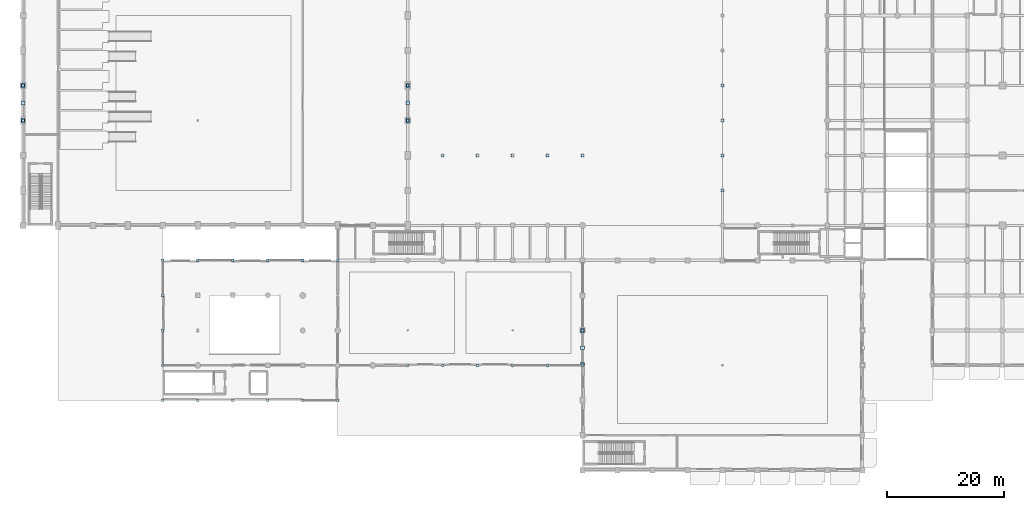
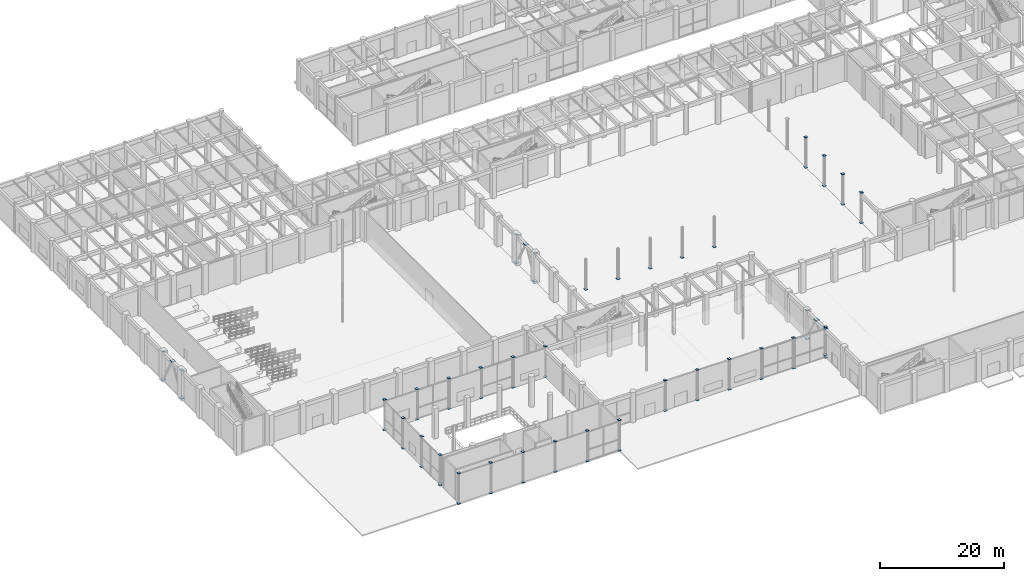
# One storey, part 76 of 106: 70 plates.
"""IFC4 building model written with IfcOpenShell, lengths in metres."""

from ifc_helpers import new_model, si_unit, direction, frame, origin, origin_2d, place, context, subcontext, project, spatial, rectangle, extrude, material, layer, layer_set, type_object, element, save


model = new_model("IFC4")

# Units and contexts
model_context = context("Model", 3, precision=1e-05, world=origin(), true_north=direction((0.0, 1.0)))
body_context = subcontext(model_context, "Body", "Model", "MODEL_VIEW")
ifc_project = project(units=[si_unit("LENGTHUNIT", "METRE"), si_unit("AREAUNIT", "SQUARE_METRE"), si_unit("VOLUMEUNIT", "CUBIC_METRE"), si_unit("PLANEANGLEUNIT", "RADIAN"), si_unit("MASSUNIT", "GRAM", prefix="KILO"), si_unit("THERMODYNAMICTEMPERATUREUNIT", "KELVIN"), si_unit("POWERUNIT", "WATT")], contexts=[model_context])

# Site, building, storey
site_placement = place(None, origin())
site = spatial("IfcSite", under=ifc_project, at=site_placement, CompositionType="ELEMENT")
building_placement = place(site_placement, origin())
building = spatial("IfcBuilding", under=site, at=building_placement, Name="Phaisarnlok Congress Hotel", CompositionType="ELEMENT")
storey_placement = place(building_placement, origin())
storey = spatial("IfcBuildingStorey", under=building, at=storey_placement, Name="L00", CompositionType="ELEMENT", Elevation=0.0)

# Plates
ifc_material = material(Name="Steel S355", Category="steel")
ifc_layer_1 = layer(ifc_material, 0.0400390625, Name="Steel S355")
ifc_layer_set_1 = layer_set([ifc_layer_1], Name="Steel S355")
plate_type_1 = type_object("IfcPlateType", Name="PLT-CAP-480", PredefinedType="SHEET", material=ifc_layer_set_1)
for number, where, z_axis, x_axis, name in (
    (1, (24.0, 12.0, -0.02001953125), (0.0, 0.0, 1.0), (1.0, 0.0, 0.0), "Steel column cap/base plate NP-04 at NP-COLB-COL-L00-024-012"),
    (2, (24.0, 12.0, 5.97998046875), (0.0, 0.0, 1.0), (1.0, 0.0, 0.0), "Steel column cap/base plate NP-04 at NP-COLT-COL-L00-024-012"),
    (3, (24.0, 18.0, -0.02001953125), (0.0, 0.0, 1.0), (1.0, 0.0, 0.0), "Steel column cap/base plate NP-04 at NP-COLB-COL-L00-024-018"),
    (4, (24.0, 18.0, 5.97998046875), (0.0, 0.0, 1.0), (1.0, 0.0, 0.0), "Steel column cap/base plate NP-04 at NP-COLT-COL-L00-024-018"),
    (5, (24.0, 24.0, -0.02001953125), (0.0, 0.0, 1.0), (1.0, 0.0, 0.0), "Steel column cap/base plate NP-04 at NP-COLB-COL-L00-024-024"),
    (6, (24.0, 24.0, 5.97998046875), (0.0, 0.0, 1.0), (1.0, 0.0, 0.0), "Steel column cap/base plate NP-04 at NP-COLT-COL-L00-024-024"),
    (7, (24.0, 30.0, -0.02001953125), (0.0, 0.0, 1.0), (1.0, 0.0, 0.0), "Steel column cap/base plate NP-04 at NP-COLB-COL-L00-024-030"),
    (8, (24.0, 30.0, 5.97998046875), (0.0, 0.0, 1.0), (1.0, 0.0, 0.0), "Steel column cap/base plate NP-04 at NP-COLT-COL-L00-024-030"),
    (9, (24.0, 36.0, -0.02001953125), (0.0, 0.0, 1.0), (1.0, 0.0, 0.0), "Steel column cap/base plate NP-04 at NP-COLB-COL-L00-024-036"),
    (10, (24.0, 36.0, 5.97998046875), (0.0, 0.0, 1.0), (1.0, 0.0, 0.0), "Steel column cap/base plate NP-04 at NP-COLT-COL-L00-024-036"),
    (11, (30.0, 12.0, -0.02001953125), (0.0, 0.0, 1.0), (1.0, 0.0, 0.0), "Steel column cap/base plate NP-04 at NP-COLB-COL-L00-030-012"),
    (12, (30.0, 12.0, 5.97998046875), (0.0, 0.0, 1.0), (1.0, 0.0, 0.0), "Steel column cap/base plate NP-04 at NP-COLT-COL-L00-030-012"),
    (13, (30.0, 36.0, -0.02001953125), (0.0, 0.0, 1.0), (1.0, 0.0, 0.0), "Steel column cap/base plate NP-04 at NP-COLB-COL-L00-030-036"),
    (14, (30.0, 36.0, 5.97998046875), (0.0, 0.0, 1.0), (1.0, 0.0, 0.0), "Steel column cap/base plate NP-04 at NP-COLT-COL-L00-030-036"),
    (15, (36.0, 12.0, -0.02001953125), (0.0, 0.0, 1.0), (1.0, 0.0, 0.0), "Steel column cap/base plate NP-04 at NP-COLB-COL-L00-036-012"),
    (16, (36.0, 12.0, 5.97998046875), (0.0, 0.0, 1.0), (1.0, 0.0, 0.0), "Steel column cap/base plate NP-04 at NP-COLT-COL-L00-036-012"),
    (17, (36.0, 36.0, -0.02001953125), (0.0, 0.0, 1.0), (1.0, 0.0, 0.0), "Steel column cap/base plate NP-04 at NP-COLB-COL-L00-036-036"),
    (18, (36.0, 36.0, 5.97998046875), (0.0, 0.0, 1.0), (1.0, 0.0, 0.0), "Steel column cap/base plate NP-04 at NP-COLT-COL-L00-036-036"),
    (19, (42.0, 12.0, -0.02001953125), (0.0, 0.0, 1.0), (1.0, 0.0, 0.0), "Steel column cap/base plate NP-04 at NP-COLB-COL-L00-042-012"),
    (20, (42.0, 12.0, 5.97998046875), (0.0, 0.0, 1.0), (1.0, 0.0, 0.0), "Steel column cap/base plate NP-04 at NP-COLT-COL-L00-042-012"),
    (21, (42.0, 36.0, -0.02001953125), (0.0, 0.0, 1.0), (1.0, 0.0, 0.0), "Steel column cap/base plate NP-04 at NP-COLB-COL-L00-042-036"),
    (22, (42.0, 36.0, 5.97998046875), (0.0, 0.0, 1.0), (1.0, 0.0, 0.0), "Steel column cap/base plate NP-04 at NP-COLT-COL-L00-042-036"),
    (23, (48.0, 12.0, -0.02001953125), (0.0, 0.0, 1.0), (1.0, 0.0, 0.0), "Steel column cap/base plate NP-04 at NP-COLB-COL-L00-048-012"),
    (24, (48.0, 12.0, 5.97998046875), (0.0, 0.0, 1.0), (1.0, 0.0, 0.0), "Steel column cap/base plate NP-04 at NP-COLT-COL-L00-048-012"),
    (25, (48.0, 36.0, -0.02001953125), (0.0, 0.0, 1.0), (1.0, 0.0, 0.0), "Steel column cap/base plate NP-04 at NP-COLB-COL-L00-048-036"),
    (26, (48.0, 36.0, 5.97998046875), (0.0, 0.0, 1.0), (1.0, 0.0, 0.0), "Steel column cap/base plate NP-04 at NP-COLT-COL-L00-048-036"),
    (27, (54.0, 12.0, -0.02001953125), (0.0, 0.0, 1.0), (1.0, 0.0, 0.0), "Steel column cap/base plate NP-04 at NP-COLB-COL-L00-054-012"),
    (28, (54.0, 12.0, 5.97998046875), (0.0, 0.0, 1.0), (1.0, 0.0, 0.0), "Steel column cap/base plate NP-04 at NP-COLT-COL-L00-054-012"),
    (29, (54.0, 36.0, -0.02001953125), (0.0, 0.0, 1.0), (1.0, 0.0, 0.0), "Steel column cap/base plate NP-04 at NP-COLB-COL-L00-054-036"),
    (30, (54.0, 36.0, 5.97998046875), (0.0, 0.0, 1.0), (1.0, 0.0, 0.0), "Steel column cap/base plate NP-04 at NP-COLT-COL-L00-054-036"),
    (31, (66.0, 18.0, -0.02001953125), (0.0, 0.0, 1.0), (1.0, 0.0, 0.0), "Steel column cap/base plate NP-04 at NP-COLB-COL-L00-066-018"),
    (32, (66.0, 18.0, 5.97998046875), (0.0, 0.0, 1.0), (1.0, 0.0, 0.0), "Steel column cap/base plate NP-04 at NP-COLT-COL-L00-066-018"),
    (33, (72.0, 18.0, -0.02001953125), (0.0, 0.0, 1.0), (1.0, 0.0, 0.0), "Steel column cap/base plate NP-04 at NP-COLB-COL-L00-072-018"),
    (34, (72.0, 18.0, 5.97998046875), (0.0, 0.0, 1.0), (1.0, 0.0, 0.0), "Steel column cap/base plate NP-04 at NP-COLT-COL-L00-072-018"),
    (35, (78.0, 18.0, -0.02001953125), (0.0, 0.0, 1.0), (1.0, 0.0, 0.0), "Steel column cap/base plate NP-04 at NP-COLB-COL-L00-078-018"),
    (36, (78.0, 18.0, 5.97998046875), (0.0, 0.0, 1.0), (1.0, 0.0, 0.0), "Steel column cap/base plate NP-04 at NP-COLT-COL-L00-078-018"),
    (37, (84.0, 18.0, -0.02001953125), (0.0, 0.0, 1.0), (1.0, 0.0, 0.0), "Steel column cap/base plate NP-04 at NP-COLB-COL-L00-084-018"),
    (38, (84.0, 18.0, 5.97998046875), (0.0, 0.0, 1.0), (1.0, 0.0, 0.0), "Steel column cap/base plate NP-04 at NP-COLT-COL-L00-084-018"),
    (39, (90.0, 18.0, -0.02001953125), (0.0, 0.0, 1.0), (1.0, 0.0, 0.0), "Steel column cap/base plate NP-04 at NP-COLB-COL-L00-090-018"),
    (40, (90.0, 18.0, 5.97998046875), (0.0, 0.0, 1.0), (1.0, 0.0, 0.0), "Steel column cap/base plate NP-04 at NP-COLT-COL-L00-090-018"),
    (41, (96.0, 18.0, -0.02001953125), (0.0, 0.0, 1.0), (1.0, 0.0, 0.0), "Steel column cap/base plate NP-04 at NP-COLB-COL-L00-096-018"),
    (42, (96.0, 18.0, 5.97998046875), (0.0, 0.0, 1.0), (1.0, 0.0, 0.0), "Steel column cap/base plate NP-04 at NP-COLT-COL-L00-096-018"),
    (43, (120.0, 48.0, -0.02001953125), (0.0, 0.0, 1.0), (1.0, 0.0, 0.0), "Steel column cap/base plate NP-04 at NP-COLB-COL-L00-120-048"),
    (44, (120.0, 48.0, 5.97998046875), (0.0, 0.0, 1.0), (1.0, 0.0, 0.0), "Steel column cap/base plate NP-04 at NP-COLT-COL-L00-120-048"),
    (45, (120.0, 54.0, -0.02001953125), (0.0, 0.0, 1.0), (1.0, 0.0, 0.0), "Steel column cap/base plate NP-04 at NP-COLB-COL-L00-120-054"),
    (46, (120.0, 54.0, 5.97998046875), (0.0, 0.0, 1.0), (1.0, 0.0, 0.0), "Steel column cap/base plate NP-04 at NP-COLT-COL-L00-120-054"),
    (47, (120.0, 60.0, -0.02001953125), (0.0, 0.0, 1.0), (1.0, 0.0, 0.0), "Steel column cap/base plate NP-04 at NP-COLB-COL-L00-120-060"),
    (48, (120.0, 60.0, 5.97998046875), (0.0, 0.0, 1.0), (1.0, 0.0, 0.0), "Steel column cap/base plate NP-04 at NP-COLT-COL-L00-120-060"),
    (49, (120.0, 66.0, -0.02001953125), (0.0, 0.0, 1.0), (1.0, 0.0, 0.0), "Steel column cap/base plate NP-04 at NP-COLB-COL-L00-120-066"),
    (50, (120.0, 66.0, 5.97998046875), (0.0, 0.0, 1.0), (1.0, 0.0, 0.0), "Steel column cap/base plate NP-04 at NP-COLT-COL-L00-120-066"),
    (51, (72.0, 54.0, -0.02001953125), (0.0, 0.0, 1.0), (1.0, 0.0, 0.0), "Steel column cap/base plate NP-04 at NP-CLB-072"),
    (52, (78.0, 54.0, -0.02001953125), (0.0, 0.0, 1.0), (1.0, 0.0, 0.0), "Steel column cap/base plate NP-04 at NP-CLB-078"),
    (53, (84.0, 54.0, -0.02001953125), (0.0, 0.0, 1.0), (1.0, 0.0, 0.0), "Steel column cap/base plate NP-04 at NP-CLB-084"),
    (54, (90.0, 54.0, -0.02001953125), (0.0, 0.0, 1.0), (1.0, 0.0, 0.0), "Steel column cap/base plate NP-04 at NP-CLB-090"),
    (55, (96.0, 54.0, -0.02001953125), (0.0, 0.0, 1.0), (1.0, 0.0, 0.0), "Steel column cap/base plate NP-04 at NP-CLB-096"),
):
    element("IfcPlate", number, at=place(storey_placement, frame(where, z_axis=z_axis, x_axis=x_axis)), inside=storey, type_object=plate_type_1, Name=name, PredefinedType="SHEET", context=body_context, shape_type="SweptSolid", body=[
        extrude(rectangle(XDim=0.47998046875, YDim=0.47998046875, at=origin_2d()), origin(), (0.0, 0.0, 1.0), 0.0400390625),
    ])
ifc_layer_2 = layer(ifc_material, 0.01611328125, Name="Steel S355")
ifc_layer_set_2 = layer_set([ifc_layer_2], Name="Steel S355")
plate_type_2 = type_object("IfcPlateType", Name="PLT-GUS-650", PredefinedType="SHEET", material=ifc_layer_set_2)
for number, where, z_axis, x_axis, name in (
    (56, (0.0, 60.0, 0.141845703125), (0.0, 0.0, 1.0), (1.0, 0.0, 0.0), "Steel truss node plate NP-05 at NP-BF-A-L00-A"),
    (57, (0.0, 66.0, 0.141845703125), (0.0, 0.0, 1.0), (1.0, 0.0, 0.0), "Steel truss node plate NP-05 at NP-BF-A-L00-B"),
    (58, (0.0, 63.0, 5.612060546875), (0.0, 0.0, 1.0), (1.0, 0.0, 0.0), "Steel truss node plate NP-05 at NP-BF-A-L00-M"),
    (59, (66.0, 60.0, 0.141845703125), (0.0, 0.0, 1.0), (1.0, 0.0, 0.0), "Steel truss node plate NP-05 at NP-BF-B-L00-A"),
    (60, (66.0, 66.0, 0.141845703125), (0.0, 0.0, 1.0), (1.0, 0.0, 0.0), "Steel truss node plate NP-05 at NP-BF-B-L00-B"),
    (61, (66.0, 63.0, 5.612060546875), (0.0, 0.0, 1.0), (1.0, 0.0, 0.0), "Steel truss node plate NP-05 at NP-BF-B-L00-M"),
    (62, (96.0, 18.169921875, 0.44189453125), (0.0, 0.0, 1.0), (1.0, 0.0, 0.0), "Steel truss node plate NP-05 at NP-BF-C-L00-A"),
    (63, (96.0, 24.0, 0.141845703125), (0.0, 0.0, 1.0), (1.0, 0.0, 0.0), "Steel truss node plate NP-05 at NP-BF-C-L00-B"),
    (64, (96.0, 21.0, 5.612060546875), (0.0, 0.0, 1.0), (1.0, 0.0, 0.0), "Steel truss node plate NP-05 at NP-BF-C-L00-M"),
):
    element("IfcPlate", number, at=place(storey_placement, frame(where, z_axis=z_axis, x_axis=x_axis)), inside=storey, type_object=plate_type_2, Name=name, PredefinedType="SHEET", context=body_context, shape_type="SweptSolid", body=[
        extrude(rectangle(XDim=0.64990234375, YDim=0.64990234375, at=origin_2d()), origin(), (0.0, 0.0, 1.0), 0.01611328125),
    ])
ifc_layer_3 = layer(ifc_material, 0.02001953125, Name="Steel S355")
ifc_layer_set_3 = layer_set([ifc_layer_3], Name="Steel S355")
plate_type_3 = type_object("IfcPlateType", Name="PLT-NODE-480", PredefinedType="SHEET", material=ifc_layer_set_3)
for number, where, z_axis, x_axis, name in (
    (65, (0.0, 60.0, 5.72998046875), (0.0, 0.0, 1.0), (1.0, 0.0, 0.0), "Steel truss node plate NP-03 at NP-BF-A-L00-T1"),
    (66, (0.0, 66.0, 5.72998046875), (0.0, 0.0, 1.0), (1.0, 0.0, 0.0), "Steel truss node plate NP-03 at NP-BF-A-L00-T2"),
    (67, (66.0, 60.0, 5.72998046875), (0.0, 0.0, 1.0), (1.0, 0.0, 0.0), "Steel truss node plate NP-03 at NP-BF-B-L00-T1"),
    (68, (66.0, 66.0, 5.72998046875), (0.0, 0.0, 1.0), (1.0, 0.0, 0.0), "Steel truss node plate NP-03 at NP-BF-B-L00-T2"),
    (69, (96.0, 18.0, 5.72998046875), (0.0, 0.0, 1.0), (1.0, 0.0, 0.0), "Steel truss node plate NP-03 at NP-BF-C-L00-T1"),
    (70, (96.0, 24.0, 5.72998046875), (0.0, 0.0, 1.0), (1.0, 0.0, 0.0), "Steel truss node plate NP-03 at NP-BF-C-L00-T2"),
):
    element("IfcPlate", number, at=place(storey_placement, frame(where, z_axis=z_axis, x_axis=x_axis)), inside=storey, type_object=plate_type_3, Name=name, PredefinedType="SHEET", context=body_context, shape_type="SweptSolid", body=[
        extrude(rectangle(XDim=0.47998046875, YDim=0.47998046875, at=origin_2d()), origin(), (0.0, 0.0, 1.0), 0.02001953125),
    ])

save(model, "model.ifc")
